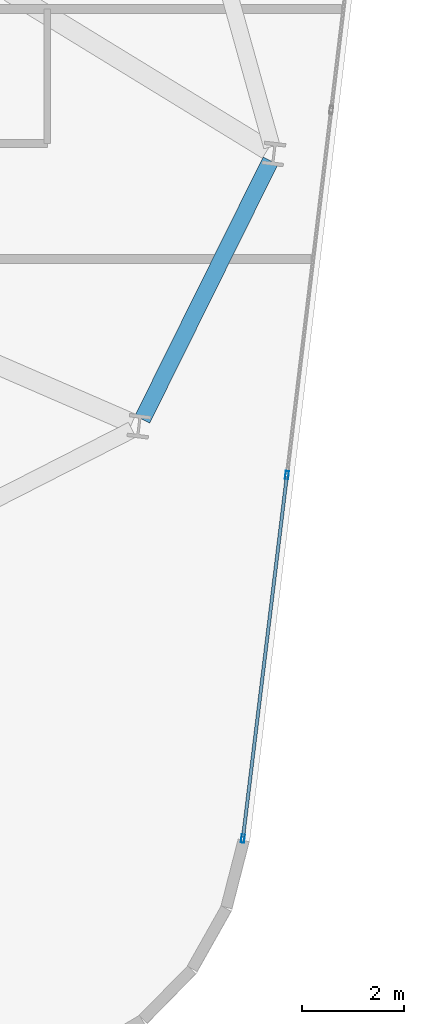
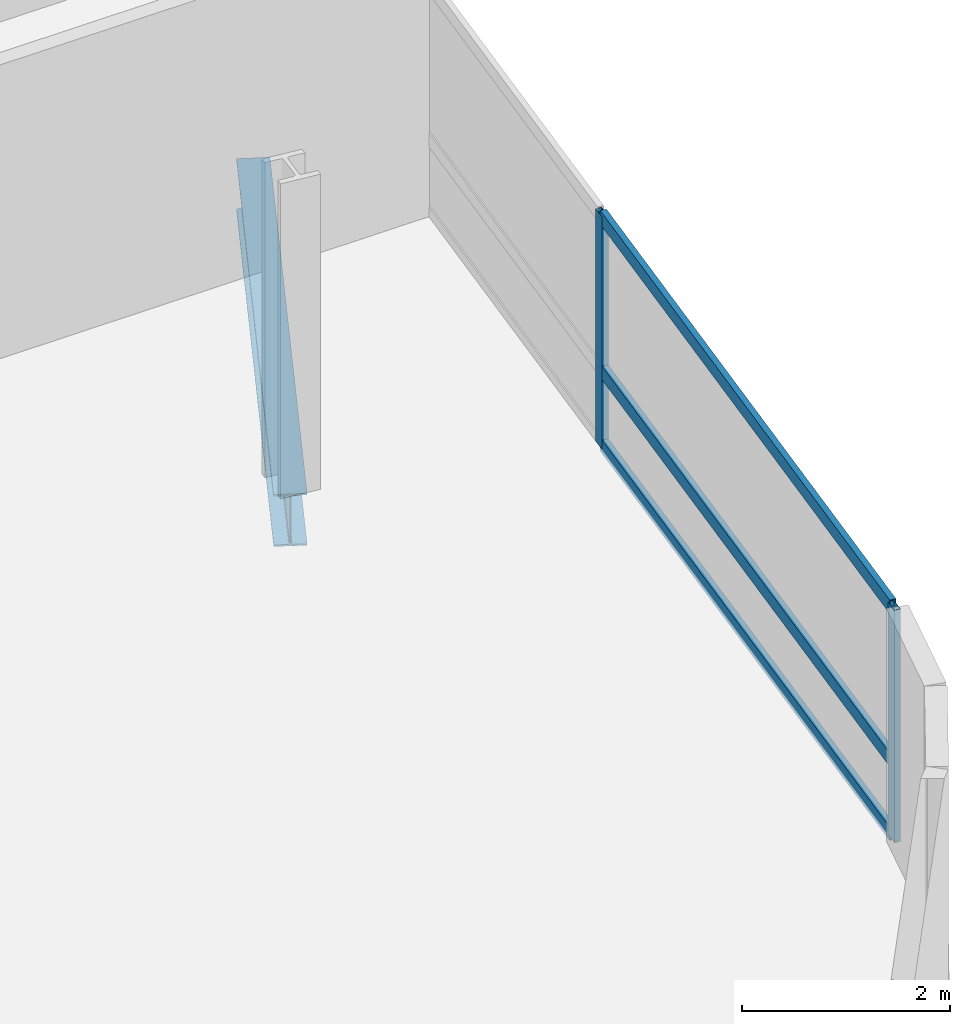
# One storey, part 14 of 25: 5 members, 1 beam, 1 element without a shape of its own.
"""IFC4 building model written with IfcOpenShell, lengths in metres."""

from ifc_helpers import new_model, si_unit, direction, frame, origin, origin_2d, place, context, subcontext, project, spatial, hollow_rectangle, i_section, extrude, material, layer, layer_set, material_profile, profile_set, type_object, element, aggregate, save


model = new_model("IFC4")

# Units and contexts
model_context = context("Model", 3, precision=1e-05, world=origin(), true_north=direction((0.0, 1.0)))
body_context = subcontext(model_context, "Body", "Model", "MODEL_VIEW")
ifc_project = project(units=[si_unit("LENGTHUNIT", "METRE"), si_unit("AREAUNIT", "SQUARE_METRE"), si_unit("VOLUMEUNIT", "CUBIC_METRE"), si_unit("PLANEANGLEUNIT", "RADIAN"), si_unit("MASSUNIT", "GRAM", prefix="KILO")], contexts=[model_context])

# Site, building, storey
site_placement = place(None, origin())
site = spatial("IfcSite", under=ifc_project, at=site_placement, CompositionType="ELEMENT")
building_placement = place(site_placement, origin())
building = spatial("IfcBuilding", under=site, at=building_placement, Name="Varnelok Gate Tower", CompositionType="ELEMENT")
storey_placement = place(building_placement, frame((0.0, 0.0, 140.199951171875)))
storey = spatial("IfcBuildingStorey", under=building, at=storey_placement, Name="L35", CompositionType="ELEMENT", Elevation=140.199951171875)

# Beam
ifc_material_1 = material(Name="Structural Steel ASTM A992 Grade 50", Category="steel")
ifc_material_profile_1 = material_profile(ifc_material_1, i_section(OverallWidth=0.323974609375, OverallDepth=0.611083984375, WebThickness=0.0126953125, FlangeThickness=0.01904296875, FilletRadius=0.01806640625, at=origin_2d()), Name="W24X104")
ifc_profile_set_1 = profile_set([ifc_material_profile_1], Name="Structural Steel ASTM A992 Grade 50")
beam_type = type_object("IfcBeamType", Name="BM-SPN-W24X104", PredefinedType="SPANDREL", material=ifc_profile_set_1)
beam_placement = place(storey_placement, frame((71.859619140625, 11.20849609375, -0.555419921875), z_axis=(0.44413424616, 0.895960251009, 0.0), x_axis=(-0.895960251009, 0.44413424616, 0.0)))
element("IfcBeam", 1, at=beam_placement, inside=storey, type_object=beam_type, Name="L35 Perimeter Spandrel Beam 6", PredefinedType="SPANDREL", context=body_context, shape_type="SweptSolid", body=[
    extrude(i_section(OverallWidth=0.323974609375, OverallDepth=0.611083984375, WebThickness=0.0126953125, FlangeThickness=0.01904296875, FilletRadius=0.01806640625, at=origin_2d()), origin(), (0.0, 0.0, 1.0), 5.64990234375),
])

# Curtain wall, members
ifc_material_2 = material(Name="Anodized Aluminum Alloy 6063-T6", Category="aluminium")
ifc_layer = layer(ifc_material_2, 0.179931640625)
ifc_layer_set = layer_set([ifc_layer], Name="Anodized Aluminum Alloy 6063-T6")
curtain_wall_type = type_object("IfcCurtainWallType", Name="CW3-HOTEL-VISION", PredefinedType="USERDEFINED", material=ifc_layer_set)
curtain_wall_placement = place(storey_placement, origin())
curtain_wall = element("IfcCurtainWall", 2, at=curtain_wall_placement, inside=storey, type_object=curtain_wall_type, Name="L35 East End Vision Curtain Wall", ObjectType="UNITISED CURTAIN WALL", PredefinedType="USERDEFINED")
ifc_material_profile_2 = material_profile(ifc_material_2, hollow_rectangle(XDim=0.06494140625, YDim=0.159912109375, WallThickness=0.00390625, at=origin_2d()), Name="ALU160X65X4")
ifc_profile_set_2 = profile_set([ifc_material_profile_2], Name="Anodized Aluminum Alloy 6063-T6")
member_type_1 = type_object("IfcMemberType", Name="CW-MULL-160", PredefinedType="MULLION", material=ifc_profile_set_2)
member_1_placement = place(storey_placement, frame((74.69091796875, 10.118408203125, 0.0), z_axis=(0.0, 0.0, 1.0), x_axis=(0.99273188146, -0.120347046212, 0.0)))
member_1 = element("IfcMember", 3, at=member_1_placement, type_object=member_type_1, Name="CW3 mullion 5", PredefinedType="MULLION", context=body_context, shape_type="SweptSolid", body=[
    extrude(hollow_rectangle(XDim=0.06494140625, YDim=0.159912109375, WallThickness=0.00390625, at=origin_2d()), origin(), (0.0, 0.0, 1.0), 2.72998046875),
])
member_2_placement = place(storey_placement, frame((73.828369140625, 3.003173828125, 0.0), z_axis=(0.0, 0.0, 1.0), x_axis=(0.99273188146, -0.120347046212, 0.0)))
member_2 = element("IfcMember", 4, at=member_2_placement, type_object=member_type_1, Name="CW3 mullion 6", PredefinedType="MULLION", context=body_context, shape_type="SweptSolid", body=[
    extrude(hollow_rectangle(XDim=0.06494140625, YDim=0.159912109375, WallThickness=0.00390625, at=origin_2d()), origin(), (0.0, 0.0, 1.0), 2.72998046875),
])
ifc_material_profile_3 = material_profile(ifc_material_2, hollow_rectangle(XDim=0.06494140625, YDim=0.159912109375, WallThickness=0.00390625, at=origin_2d()), Name="ALU160X65X4")
ifc_profile_set_3 = profile_set([ifc_material_profile_3], Name="Anodized Aluminum Alloy 6063-T6")
member_type_2 = type_object("IfcMemberType", Name="CW-TRAN-160", PredefinedType="USERDEFINED", material=ifc_profile_set_3)
member_3_placement = place(storey_placement, frame((74.68701171875, 10.086181640625, 0.032470703125), z_axis=(-0.120344712857, -0.992732164326, 0.0), x_axis=(0.992732164326, -0.120344712857, 0.0)))
member_3 = element("IfcMember", 5, at=member_3_placement, type_object=member_type_2, Name="CW3 transom 5.1", ObjectType="TRANSOM", PredefinedType="USERDEFINED", context=body_context, shape_type="SweptSolid", body=[
    extrude(hollow_rectangle(XDim=0.06494140625, YDim=0.159912109375, WallThickness=0.00390625, at=origin_2d()), origin(), (0.0, 0.0, 1.0), 7.102294921875),
])
member_4_placement = place(storey_placement, frame((74.68701171875, 10.086181640625, 0.900146484375), z_axis=(-0.120344712857, -0.992732164326, 0.0), x_axis=(0.992732164326, -0.120344712857, 0.0)))
member_4 = element("IfcMember", 6, at=member_4_placement, type_object=member_type_2, Name="CW3 transom 5.2", ObjectType="TRANSOM", PredefinedType="USERDEFINED", context=body_context, shape_type="SweptSolid", body=[
    extrude(hollow_rectangle(XDim=0.06494140625, YDim=0.159912109375, WallThickness=0.00390625, at=origin_2d()), origin(), (0.0, 0.0, 1.0), 7.102294921875),
])
member_5_placement = place(storey_placement, frame((74.68701171875, 10.086181640625, 2.697509765625), z_axis=(-0.120344712857, -0.992732164326, 0.0), x_axis=(0.992732164326, -0.120344712857, 0.0)))
member_5 = element("IfcMember", 7, at=member_5_placement, type_object=member_type_2, Name="CW3 transom 5.3", ObjectType="TRANSOM", PredefinedType="USERDEFINED", context=body_context, shape_type="SweptSolid", body=[
    extrude(hollow_rectangle(XDim=0.06494140625, YDim=0.159912109375, WallThickness=0.00390625, at=origin_2d()), origin(), (0.0, 0.0, 1.0), 7.102294921875),
])
aggregate(curtain_wall, [member_1, member_2, member_3, member_4, member_5])

save(model, "model.ifc")
